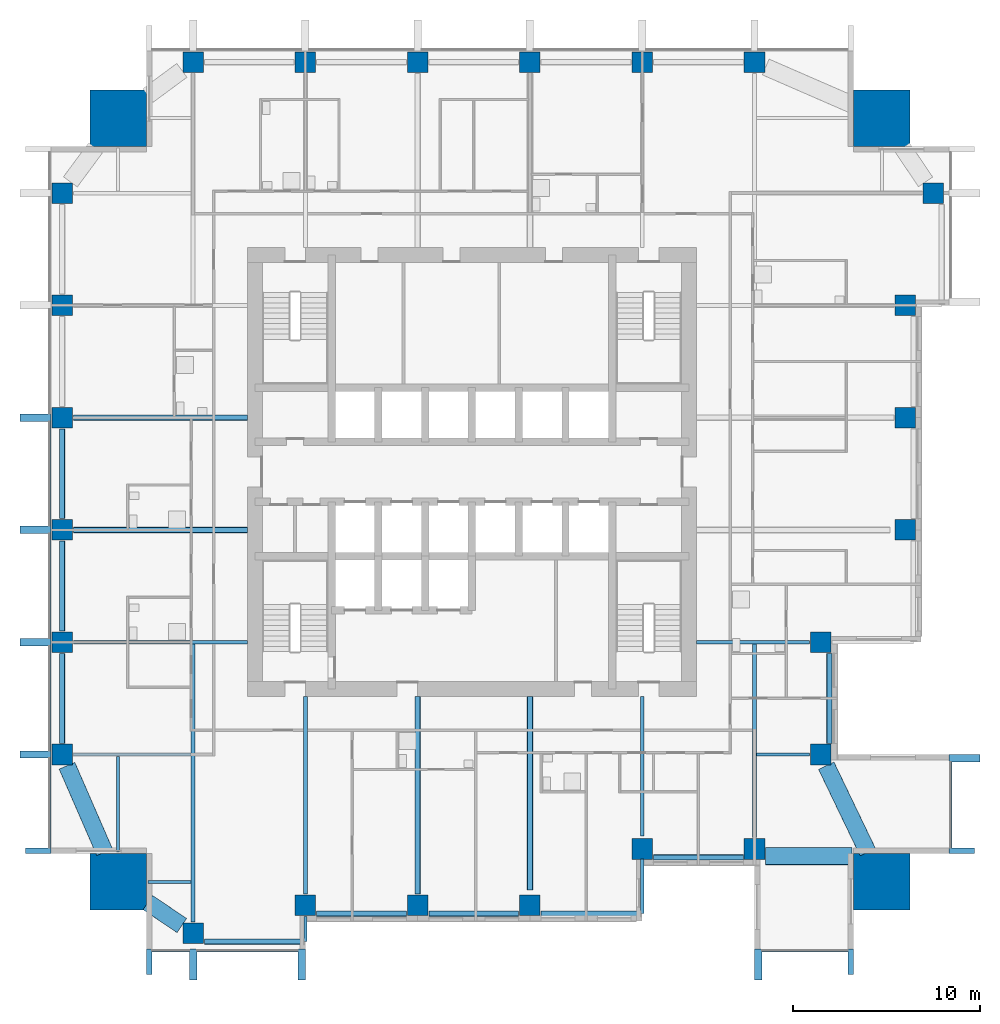
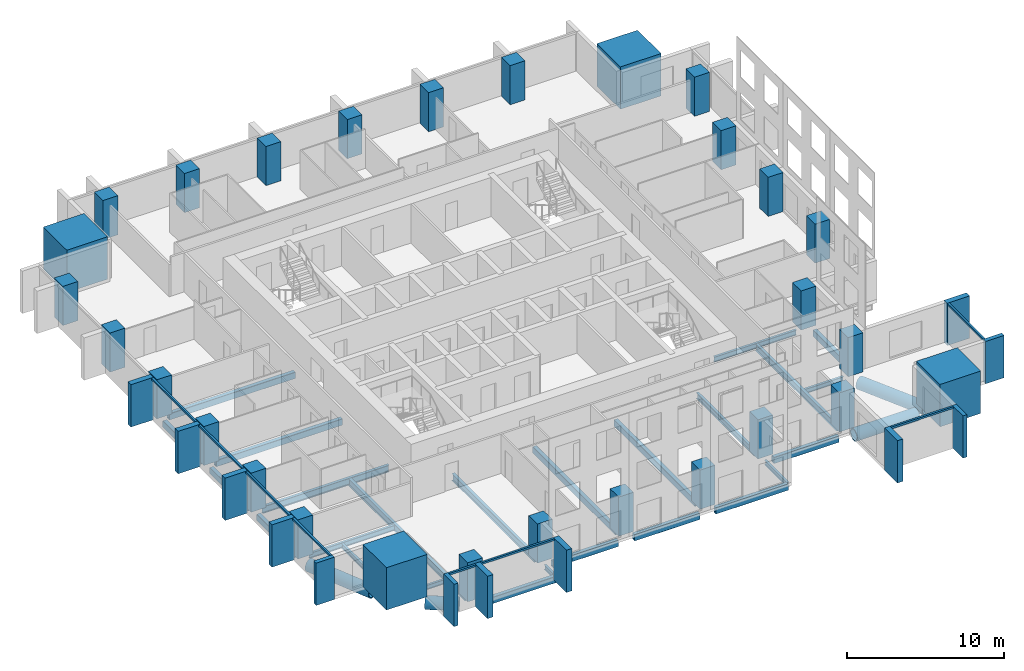
# One storey, part 1 of 13: 29 beams, 28 columns, 20 members, 4 elements without a shape of their own.
"""IFC4 building model written with IfcOpenShell, lengths in metres."""

import ifcopenshell
import ifcopenshell.guid

model = None  # the IFC model being written
_history = None  # IfcOwnerHistory: only IFC2X3 demands one
_inside = {}  # id of a spatial element -> (the spatial element, [elements in it])
_under = {}  # id of a project, library or spatial element -> (it, [spatial elements below it])
_declared = {}  # id of a project -> (the project, [libraries it declares])
_typed = {}  # id of a type object -> (the type object, [elements of that type])
_made_of = {}  # id of a material, layer set ... -> (it, [elements and type objects made of it])


def new_model(schema):
    """Start an empty IFC model of exactly this schema.

    Asked for "IFC4X3", IfcOpenShell would pick the latest addendum, in which some entities
    have other attributes; the version numbers below select the first issue.
    IFC2X3 requires an IfcOwnerHistory on every rooted entity: one is made here for all.
    """
    global model, _history
    if schema == "IFC4X3":
        model = ifcopenshell.file(schema_version=(4, 3, 0, 0))
    else:
        model = ifcopenshell.file(schema=schema)
    _inside.clear()
    _under.clear()
    _declared.clear()
    _typed.clear()
    _made_of.clear()
    _history = None
    if model.schema == "IFC2X3":
        org = make("IfcOrganization", Name="unknown")
        user = make(
            "IfcPersonAndOrganization",
            ThePerson=make("IfcPerson", FamilyName="unknown"),
            TheOrganization=org,
        )
        app = make(
            "IfcApplication",
            ApplicationDeveloper=org,
            Version="unknown",
            ApplicationFullName="unknown",
            ApplicationIdentifier="unknown",
        )
        _history = make(
            "IfcOwnerHistory",
            OwningUser=user,
            OwningApplication=app,
            ChangeAction="ADDED",
            CreationDate=0,
        )
    return model


def make(cls, **values):
    """One entity of the class cls with the attributes given. An attribute that is None is left unset."""
    return model.create_entity(
        cls, **{name: value for name, value in values.items() if value is not None}
    )


def rooted(cls, **values):
    """An entity with a GlobalId (a new one), such as an element, a storey or a relation."""
    return make(cls, GlobalId=ifcopenshell.guid.new(), OwnerHistory=_history, **values)


def si_unit(unit_type, name, prefix=None):
    """IfcSIUnit, for example si_unit("LENGTHUNIT", "METRE", prefix="MILLI")."""
    return make("IfcSIUnit", UnitType=unit_type, Prefix=prefix, Name=name)


def assignment(units):
    """IfcUnitAssignment: the units of a project."""
    return None if units is None else make("IfcUnitAssignment", Units=units)


def point(xyz):
    """IfcCartesianPoint."""
    return None if xyz is None else make("IfcCartesianPoint", Coordinates=xyz)


def direction(xyz):
    """IfcDirection."""
    return None if xyz is None else make("IfcDirection", DirectionRatios=xyz)


def frame(location, z_axis=None, x_axis=None):
    """IfcAxis2Placement3D, a coordinate frame: its origin and axes. An axis left out is left unset."""
    return make(
        "IfcAxis2Placement3D",
        Location=point(location),
        Axis=direction(z_axis),
        RefDirection=direction(x_axis),
    )


def frame_2d(location, x_axis=None):
    """IfcAxis2Placement2D, a coordinate frame in the plane: its origin and x axis."""
    return make(
        "IfcAxis2Placement2D", Location=point(location), RefDirection=direction(x_axis)
    )


def origin():
    """The frame at (0, 0, 0) with its axes left unset."""
    return frame((0.0, 0.0, 0.0))


def origin_2d():
    """The frame at (0, 0) in the plane with its x axis left unset."""
    return frame_2d((0.0, 0.0))


def place(relative_to, where):
    """IfcLocalPlacement: puts the frame where relative to a parent placement (None: the world)."""
    return make(
        "IfcLocalPlacement", PlacementRelTo=relative_to, RelativePlacement=where
    )


def context(
    kind, dimensions, precision=None, world=None, true_north=None, identifier=None
):
    """IfcGeometricRepresentationContext, for example the 3D "Model" context."""
    return make(
        "IfcGeometricRepresentationContext",
        ContextIdentifier=identifier,
        ContextType=kind,
        CoordinateSpaceDimension=dimensions,
        Precision=precision,
        WorldCoordinateSystem=world,
        TrueNorth=true_north,
    )


def subcontext(parent, identifier, kind, view, scale=None):
    """IfcGeometricRepresentationSubContext, for example "Body" below "Model"."""
    return make(
        "IfcGeometricRepresentationSubContext",
        ContextIdentifier=identifier,
        ContextType=kind,
        ParentContext=parent,
        TargetScale=scale,
        TargetView=view,
    )


def project(units=None, contexts=None):
    """IfcProject with its units and contexts."""
    return rooted(
        "IfcProject",
        Name="project",
        RepresentationContexts=contexts,
        UnitsInContext=assignment(units),
    )


def spatial(cls, under=None, at=None, **own):
    """A site, building, storey or space (cls), placed at a placement, below another one or the project."""
    s = rooted(cls, ObjectPlacement=at, **own)
    if under is not None:
        _under.setdefault(under.id(), (under, []))[1].append(s)
    return s


def profile(cls, at=None, kind="AREA", **sizes):
    """A parametric profile (cls). Its sizes go by their IFC names, for example OverallWidth=200.0."""
    return make(cls, ProfileType=kind, Position=at, **sizes)


def rectangle(**sizes):
    """IfcRectangleProfileDef."""
    return profile("IfcRectangleProfileDef", **sizes)


def hollow_rectangle(**sizes):
    """IfcRectangleHollowProfileDef."""
    return profile("IfcRectangleHollowProfileDef", **sizes)


def hollow_circle(**sizes):
    """IfcCircleHollowProfileDef."""
    return profile("IfcCircleHollowProfileDef", **sizes)


def i_section(**sizes):
    """IfcIShapeProfileDef."""
    return profile("IfcIShapeProfileDef", **sizes)


def extrude(swept, where, along, depth):
    """IfcExtrudedAreaSolid: the profile swept, set in the frame where, extruded along a direction by depth."""
    return make(
        "IfcExtrudedAreaSolid",
        SweptArea=swept,
        Position=where,
        ExtrudedDirection=direction(along),
        Depth=depth,
    )


def shape(context_of_items, identifier, shape_type, items):
    """IfcShapeRepresentation: the items that make up one representation, for example the "Body"."""
    return make(
        "IfcShapeRepresentation",
        ContextOfItems=context_of_items,
        RepresentationIdentifier=identifier,
        RepresentationType=shape_type,
        Items=items,
    )


def material(Name=None, Category=None):
    """IfcMaterial."""
    return make("IfcMaterial", Name=Name, Category=Category)


def material_profile(
    of_material, cross_section, Name=None, Category=None, Priority=None
):
    """IfcMaterialProfile: a cross section and its material."""
    return make(
        "IfcMaterialProfile",
        Name=Name,
        Material=of_material,
        Profile=cross_section,
        Priority=Priority,
        Category=Category,
    )


def profile_set(profiles, Name=None, composite=None):
    """IfcMaterialProfileSet."""
    return make(
        "IfcMaterialProfileSet",
        Name=Name,
        MaterialProfiles=profiles,
        CompositeProfile=composite,
    )


def made_of(thing, what):
    """Note that an element or type object is made of a material, layer set ...; save() writes the relation."""
    if what is not None:
        _made_of.setdefault(what.id(), (what, []))[1].append(thing)
    return thing


def type_object(cls, material=None, **own):
    """A type object (cls), such as IfcWallType, which elements share."""
    return made_of(rooted(cls, **own), material)


def element(
    cls,
    number,
    at=None,
    inside=None,
    cuts=None,
    type_object=None,
    material=None,
    context=None,
    identifier="Body",
    shape_type=None,
    held_by="IfcProductDefinitionShape",
    body=None,
    shapes=None,
    **own,
):
    """One element of the class cls, such as IfcWall. Its Tag is "e" and its number.

    at: its placement. inside: the storey or other place that contains it. cuts: it is an
    opening in that element (IfcRelVoidsElement). A single representation is given by context,
    identifier, shape_type and body (its items); several are given by shapes. held_by: the class
    of the entity that holds the representations. save() writes the other relations.
    """
    e = rooted(cls, Tag="e%d" % number, ObjectPlacement=at, **own)
    if body is not None:
        shapes = [shape(context, identifier, shape_type, body)]
    if shapes is not None:
        e.Representation = make(held_by, Representations=shapes)
    if inside is not None:
        _inside.setdefault(inside.id(), (inside, []))[1].append(e)
    if cuts is not None:
        rooted(
            "IfcRelVoidsElement", RelatingBuildingElement=cuts, RelatedOpeningElement=e
        )
    if type_object is not None:
        _typed.setdefault(type_object.id(), (type_object, []))[1].append(e)
    return made_of(e, material)


def aggregate(whole, parts):
    """IfcRelAggregates: a whole, such as a stair, and the parts it consists of."""
    return rooted("IfcRelAggregates", RelatingObject=whole, RelatedObjects=parts)


def save(model, path):
    """Write the relations noted so far, then the file.

    IfcRelAggregates (storeys below a building ...), IfcRelContainedInSpatialStructure (elements
    in a storey), IfcRelDefinesByType, IfcRelAssociatesMaterial and IfcRelDeclares: one each for
    every whole, place, type object, material and project.
    """
    for whole, parts in _under.values():
        aggregate(whole, parts)
    for where, things in _inside.values():
        rooted(
            "IfcRelContainedInSpatialStructure",
            RelatedElements=things,
            RelatingStructure=where,
        )
    for kind, things in _typed.values():
        rooted("IfcRelDefinesByType", RelatedObjects=things, RelatingType=kind)
    for what, things in _made_of.values():
        rooted("IfcRelAssociatesMaterial", RelatedObjects=things, RelatingMaterial=what)
    for by, libraries in _declared.values():
        rooted("IfcRelDeclares", RelatingContext=by, RelatedDefinitions=libraries)
    model.write(path)


model = new_model("IFC4")

# Units and contexts
model_context = context("Model", 3, precision=1e-05, world=origin(), true_north=direction((0.0, 1.0)))
body_context = subcontext(model_context, "Body", "Model", "MODEL_VIEW")
ifc_project = project(units=[si_unit("LENGTHUNIT", "METRE"), si_unit("AREAUNIT", "SQUARE_METRE"), si_unit("VOLUMEUNIT", "CUBIC_METRE"), si_unit("PLANEANGLEUNIT", "RADIAN"), si_unit("MASSUNIT", "GRAM", prefix="KILO")], contexts=[model_context])

# Site, building, storey
site_placement = place(None, origin())
site = spatial("IfcSite", under=ifc_project, at=site_placement, CompositionType="ELEMENT")
building_placement = place(site_placement, origin())
building = spatial("IfcBuilding", under=site, at=building_placement, Name="Amberfall Residences", CompositionType="ELEMENT")
storey_placement = place(building_placement, frame((0.0, 0.0, 78.699951171875)))
storey = spatial("IfcBuildingStorey", under=building, at=storey_placement, Name="L20", CompositionType="ELEMENT", Elevation=78.699951171875)

# Columns
ifc_material_1 = material(Name="Concrete C70", Category="concrete")
ifc_material_profile_1 = material_profile(ifc_material_1, rectangle(XDim=1.10009765625, YDim=1.10009765625, at=origin_2d()), Name="Column 1100 x 1100 C70")
ifc_profile_set_1 = profile_set([ifc_material_profile_1], Name="Concrete C70")
column_type_1 = type_object("IfcColumnType", Name="Column 1100 x 1100 C70", PredefinedType="COLUMN", material=ifc_profile_set_1)
for number, where, z_axis, x_axis, name in (
    (1, (59.60009765625, 20.85009765625, 0.0), (0.0, 0.0, 1.0), (1.0, 0.0, 0.0), "Column C2 L20 S1"),
    (2, (65.60009765625, 22.35009765625, 0.0), (0.0, 0.0, 1.0), (1.0, 0.0, 0.0), "Column C2 L20 S2"),
    (3, (71.60009765625, 22.35009765625, 0.0), (0.0, 0.0, 1.0), (1.0, 0.0, 0.0), "Column C2 L20 S3"),
    (4, (77.60009765625, 22.35009765625, 0.0), (0.0, 0.0, 1.0), (1.0, 0.0, 0.0), "Column C2 L20 S4"),
    (5, (83.60009765625, 25.35009765625, 0.0), (0.0, 0.0, 1.0), (1.0, 0.0, 0.0), "Column C2 L20 S5"),
    (6, (89.60009765625, 25.35009765625, 0.0), (0.0, 0.0, 1.0), (1.0, 0.0, 0.0), "Column C2 L20 S6"),
    (7, (93.14990234375, 30.39990234375, 0.0), (0.0, 0.0, 1.0), (1.0, 0.0, 0.0), "Column C2 L20 E1"),
    (8, (93.14990234375, 36.39990234375, 0.0), (0.0, 0.0, 1.0), (1.0, 0.0, 0.0), "Column C2 L20 E2"),
    (9, (97.64990234375, 42.39990234375, 0.0), (0.0, 0.0, 1.0), (1.0, 0.0, 0.0), "Column C2 L20 E3"),
    (10, (97.64990234375, 48.39990234375, 0.0), (0.0, 0.0, 1.0), (1.0, 0.0, 0.0), "Column C2 L20 E4"),
    (11, (97.64990234375, 54.39990234375, 0.0), (0.0, 0.0, 1.0), (1.0, 0.0, 0.0), "Column C2 L20 E5"),
    (12, (99.14990234375, 60.39990234375, 0.0), (0.0, 0.0, 1.0), (1.0, 0.0, 0.0), "Column C2 L20 E6"),
    (13, (59.60009765625, 67.39990234375, 0.0), (0.0, 0.0, 1.0), (1.0, 0.0, 0.0), "Column C2 L20 N1"),
    (14, (65.60009765625, 67.39990234375, 0.0), (0.0, 0.0, 1.0), (1.0, 0.0, 0.0), "Column C2 L20 N2"),
    (15, (71.60009765625, 67.39990234375, 0.0), (0.0, 0.0, 1.0), (1.0, 0.0, 0.0), "Column C2 L20 N3"),
    (16, (77.60009765625, 67.39990234375, 0.0), (0.0, 0.0, 1.0), (1.0, 0.0, 0.0), "Column C2 L20 N4"),
    (17, (83.60009765625, 67.39990234375, 0.0), (0.0, 0.0, 1.0), (1.0, 0.0, 0.0), "Column C2 L20 N5"),
    (18, (89.60009765625, 67.39990234375, 0.0), (0.0, 0.0, 1.0), (1.0, 0.0, 0.0), "Column C2 L20 N6"),
    (19, (52.60009765625, 30.39990234375, 0.0), (0.0, 0.0, 1.0), (1.0, 0.0, 0.0), "Column C2 L20 W1"),
    (20, (52.60009765625, 36.39990234375, 0.0), (0.0, 0.0, 1.0), (1.0, 0.0, 0.0), "Column C2 L20 W2"),
    (21, (52.60009765625, 42.39990234375, 0.0), (0.0, 0.0, 1.0), (1.0, 0.0, 0.0), "Column C2 L20 W3"),
    (22, (52.60009765625, 48.39990234375, 0.0), (0.0, 0.0, 1.0), (1.0, 0.0, 0.0), "Column C2 L20 W4"),
    (23, (52.60009765625, 54.39990234375, 0.0), (0.0, 0.0, 1.0), (1.0, 0.0, 0.0), "Column C2 L20 W5"),
    (24, (52.60009765625, 60.39990234375, 0.0), (0.0, 0.0, 1.0), (1.0, 0.0, 0.0), "Column C2 L20 W6"),
):
    element("IfcColumn", number, at=place(storey_placement, frame(where, z_axis=z_axis, x_axis=x_axis)), inside=storey, type_object=column_type_1, Name=name, PredefinedType="COLUMN", context=body_context, shape_type="SweptSolid", body=[
        extrude(rectangle(XDim=1.10009765625, YDim=1.10009765625, at=origin_2d()), origin(), (0.0, 0.0, 1.0), 3.050048828125),
    ])
ifc_material_profile_2 = material_profile(ifc_material_1, rectangle(XDim=3.0, YDim=3.0, at=origin_2d()), Name="Mega column 3000 x 3000 C70")
ifc_profile_set_2 = profile_set([ifc_material_profile_2], Name="Concrete C70")
column_type_2 = type_object("IfcColumnType", Name="Mega column 3000 x 3000 C70", PredefinedType="COLUMN", material=ifc_profile_set_2)
for number, where, z_axis, x_axis, name in (
    (25, (55.60009765625, 23.60009765625, 0.0), (0.0, 0.0, 1.0), (1.0, 0.0, 0.0), "Mega column MC2 L20 SW"),
    (26, (96.39990234375, 23.60009765625, 0.0), (0.0, 0.0, 1.0), (1.0, 0.0, 0.0), "Mega column MC2 L20 SE"),
    (27, (96.39990234375, 64.39990234375, 0.0), (0.0, 0.0, 1.0), (1.0, 0.0, 0.0), "Mega column MC2 L20 NE"),
    (28, (55.60009765625, 64.39990234375, 0.0), (0.0, 0.0, 1.0), (1.0, 0.0, 0.0), "Mega column MC2 L20 NW"),
):
    element("IfcColumn", number, at=place(storey_placement, frame(where, z_axis=z_axis, x_axis=x_axis)), inside=storey, type_object=column_type_2, Name=name, PredefinedType="COLUMN", context=body_context, shape_type="SweptSolid", body=[
        extrude(rectangle(XDim=3.0, YDim=3.0, at=origin_2d()), origin(), (0.0, 0.0, 1.0), 3.300048828125),
    ])

# Beams
ifc_material_2 = material(Name="Steel S355", Category="steel")
ifc_material_profile_3 = material_profile(ifc_material_2, hollow_circle(Radius=0.457275390625, WallThickness=0.06005859375, at=origin_2d()), Name="CHS 914.4x60")
ifc_profile_set_3 = profile_set([ifc_material_profile_3], Name="Steel S355")
beam_type_1 = type_object("IfcBeamType", Name="Belt truss chord BT CHS 914.4x60", PredefinedType="BEAM", material=ifc_profile_set_3)
beam_1_placement = place(storey_placement, frame((57.181884765625, 22.48583984375, -0.70703125), z_axis=(0.828886092393, -0.559417416459, 0.0), x_axis=(0.559417416459, 0.828886092393, 0.0)))
element("IfcBeam", 29, at=beam_1_placement, inside=storey, type_object=beam_type_1, Name="Belt truss chord BT BT2 L20 49", PredefinedType="BEAM", context=body_context, shape_type="SweptSolid", body=[
    extrude(hollow_circle(Radius=0.457275390625, WallThickness=0.06005859375, at=origin_2d()), origin(), (0.0, 0.0, 1.0), 2.193359375),
])
beam_2_placement = place(storey_placement, frame((54.871337890625, 25.182373046875, -0.70703125), z_axis=(-0.399155034223, 0.916883448784, 0.0), x_axis=(-0.916883448784, -0.399155034223, 0.0)))
element("IfcBeam", 30, at=beam_2_placement, inside=storey, type_object=beam_type_1, Name="Belt truss chord BT BT2 L20 50", PredefinedType="BEAM", context=body_context, shape_type="SweptSolid", body=[
    extrude(hollow_circle(Radius=0.457275390625, WallThickness=0.06005859375, at=origin_2d()), origin(), (0.0, 0.0, 1.0), 5.036376953125),
])
beam_3_placement = place(storey_placement, frame((94.8154296875, 24.96484375, -0.70703125), z_axis=(-1.0, 0.0, 0.0), x_axis=(0.0, -1.0, 0.0)))
element("IfcBeam", 31, at=beam_3_placement, inside=storey, type_object=beam_type_1, Name="Belt truss chord BT BT2 L20 51", PredefinedType="BEAM", context=body_context, shape_type="SweptSolid", body=[
    extrude(hollow_circle(Radius=0.457275390625, WallThickness=0.06005859375, at=origin_2d()), origin(), (0.0, 0.0, 1.0), 4.615478515625),
])
beam_4_placement = place(storey_placement, frame((95.653076171875, 25.18408203125, -0.70703125), z_axis=(-0.43322071676, 0.901287862212, 0.0), x_axis=(-0.901287862212, -0.43322071676, 0.0)))
element("IfcBeam", 32, at=beam_4_placement, inside=storey, type_object=beam_type_1, Name="Belt truss chord BT BT2 L20 52", PredefinedType="BEAM", context=body_context, shape_type="SweptSolid", body=[
    extrude(hollow_circle(Radius=0.457275390625, WallThickness=0.06005859375, at=origin_2d()), origin(), (0.0, 0.0, 1.0), 5.12158203125),
])
ifc_material_profile_4 = material_profile(ifc_material_2, hollow_rectangle(XDim=0.300048828125, YDim=0.5, WallThickness=0.01611328125, InnerFilletRadius=0.01611328125, OuterFilletRadius=0.02392578125, at=origin_2d()), Name="RHS 500x300x16")
ifc_profile_set_4 = profile_set([ifc_material_profile_4], Name="Steel S355")
beam_type_2 = type_object("IfcBeamType", Name="Belt truss chord BT RHS 500x300x16", PredefinedType="BEAM", material=ifc_profile_set_4)
beam_5_placement = place(storey_placement, frame((60.199951171875, 20.39990234375, -0.5), z_axis=(1.0, 0.0, 0.0), x_axis=(0.0, 1.0, 0.0)))
element("IfcBeam", 33, at=beam_5_placement, inside=storey, type_object=beam_type_2, Name="Belt truss chord BT BT1 L20 01", PredefinedType="BEAM", context=body_context, shape_type="SweptSolid", body=[
    extrude(hollow_rectangle(XDim=0.300048828125, YDim=0.5, WallThickness=0.01611328125, InnerFilletRadius=0.01611328125, OuterFilletRadius=0.02392578125, at=origin_2d()), origin(), (0.0, 0.0, 1.0), 5.320068359375),
])
for number, where, z_axis, x_axis, name in (
    (34, (66.199951171875, 21.89990234375, -0.5), (1.0, 0.0, 0.0), (0.0, 1.0, 0.0), "Belt truss chord BT BT1 L20 02"),
    (35, (72.199951171875, 21.89990234375, -0.5), (1.0, 0.0, 0.0), (0.0, 1.0, 0.0), "Belt truss chord BT BT1 L20 03"),
):
    element("IfcBeam", number, at=place(storey_placement, frame(where, z_axis=z_axis, x_axis=x_axis)), inside=storey, type_object=beam_type_2, Name=name, PredefinedType="BEAM", context=body_context, shape_type="SweptSolid", body=[
        extrude(hollow_rectangle(XDim=0.300048828125, YDim=0.5, WallThickness=0.01611328125, InnerFilletRadius=0.01611328125, OuterFilletRadius=0.02392578125, at=origin_2d()), origin(), (0.0, 0.0, 1.0), 4.800048828125),
    ])
beam_6_placement = place(storey_placement, frame((78.199951171875, 21.89990234375, -0.5), z_axis=(1.0, 0.0, 0.0), x_axis=(0.0, 1.0, 0.0)))
element("IfcBeam", 36, at=beam_6_placement, inside=storey, type_object=beam_type_2, Name="Belt truss chord BT BT1 L20 04", PredefinedType="BEAM", context=body_context, shape_type="SweptSolid", body=[
    extrude(hollow_rectangle(XDim=0.300048828125, YDim=0.5, WallThickness=0.01611328125, InnerFilletRadius=0.01611328125, OuterFilletRadius=0.02392578125, at=origin_2d()), origin(), (0.0, 0.0, 1.0), 5.320068359375),
])
for number, where, z_axis, x_axis, name in (
    (37, (84.199951171875, 24.89990234375, -0.5), (1.0, 0.0, 0.0), (0.0, 1.0, 0.0), "Belt truss chord BT BT1 L20 05"),
    (38, (93.60009765625, 31.0, -0.5), (0.0, 1.0, 0.0), (-1.0, 0.0, 0.0), "Belt truss chord BT BT1 L20 14"),
    (39, (52.60009765625, 31.0, -0.5), (0.0, 1.0, 0.0), (-1.0, 0.0, 0.0), "Belt truss chord BT BT1 L20 38"),
    (40, (52.60009765625, 37.0, -0.5), (0.0, 1.0, 0.0), (-1.0, 0.0, 0.0), "Belt truss chord BT BT1 L20 39"),
    (41, (52.60009765625, 43.0, -0.5), (0.0, 1.0, 0.0), (-1.0, 0.0, 0.0), "Belt truss chord BT BT1 L20 40"),
):
    element("IfcBeam", number, at=place(storey_placement, frame(where, z_axis=z_axis, x_axis=x_axis)), inside=storey, type_object=beam_type_2, Name=name, PredefinedType="BEAM", context=body_context, shape_type="SweptSolid", body=[
        extrude(hollow_rectangle(XDim=0.300048828125, YDim=0.5, WallThickness=0.01611328125, InnerFilletRadius=0.01611328125, OuterFilletRadius=0.02392578125, at=origin_2d()), origin(), (0.0, 0.0, 1.0), 4.800048828125),
    ])

# Curtain wall, members
ifc_material_3 = material(Name="Bronze anodised aluminium and glass", Category="aluminium")
curtain_wall_type = type_object("IfcCurtainWallType", Name="Curtain wall CW1 tower unit", PredefinedType="USERDEFINED", material=ifc_material_3)
curtain_wall_1_placement = place(storey_placement, origin())
curtain_wall_1 = element("IfcCurtainWall", 42, at=curtain_wall_1_placement, inside=storey, type_object=curtain_wall_type, Name="Curtain wall L20 S S1", ObjectType="UNITISED CURTAIN WALL", PredefinedType="USERDEFINED")
ifc_material_4 = material(Name="Bronze anodised aluminium", Category="aluminium")
ifc_material_profile_5 = material_profile(ifc_material_4, rectangle(XDim=0.14990234375, YDim=0.14990234375, at=origin_2d()), Name="CW1 transom 150 x 150 bronze")
ifc_profile_set_5 = profile_set([ifc_material_profile_5], Name="Bronze anodised aluminium")
member_type_1 = type_object("IfcMemberType", Name="CW1 transom 150 x 150 bronze", PredefinedType="USERDEFINED", material=ifc_profile_set_5)
member_1_placement = place(storey_placement, frame((57.39990234375, 19.925048828125, 2.97509765625), z_axis=(1.0, 0.0, 0.0), x_axis=(0.0, 1.0, 0.0)))
member_1 = element("IfcMember", 43, at=member_1_placement, type_object=member_type_1, Name="CW1 transom 1.1", ObjectType="TRANSOM", PredefinedType="USERDEFINED", context=body_context, shape_type="SweptSolid", body=[
    extrude(rectangle(XDim=0.14990234375, YDim=0.14990234375, at=origin_2d()), origin(), (0.0, 0.0, 1.0), 2.0),
])
member_2_placement = place(storey_placement, frame((59.800048828125, 19.925048828125, 2.97509765625), z_axis=(1.0, 0.0, 0.0), x_axis=(0.0, 1.0, 0.0)))
member_2 = element("IfcMember", 44, at=member_2_placement, type_object=member_type_1, Name="CW1 transom 2.1", ObjectType="TRANSOM", PredefinedType="USERDEFINED", context=body_context, shape_type="SweptSolid", body=[
    extrude(rectangle(XDim=0.14990234375, YDim=0.14990234375, at=origin_2d()), origin(), (0.0, 0.0, 1.0), 5.39990234375),
])

# Curtain wall, member
curtain_wall_2_placement = place(storey_placement, origin())
curtain_wall_2 = element("IfcCurtainWall", 45, at=curtain_wall_2_placement, inside=storey, type_object=curtain_wall_type, Name="Curtain wall L20 S S9", ObjectType="UNITISED CURTAIN WALL", PredefinedType="USERDEFINED")
member_3_placement = place(storey_placement, frame((90.0, 19.925048828125, 2.97509765625), z_axis=(1.0, 0.0, 0.0), x_axis=(0.0, 1.0, 0.0)))
member_3 = element("IfcMember", 46, at=member_3_placement, type_object=member_type_1, Name="CW1 transom 1.1", ObjectType="TRANSOM", PredefinedType="USERDEFINED", context=body_context, shape_type="SweptSolid", body=[
    extrude(rectangle(XDim=0.14990234375, YDim=0.14990234375, at=origin_2d()), origin(), (0.0, 0.0, 1.0), 4.60009765625),
])

curtain_wall_3_placement = place(storey_placement, origin())
curtain_wall_3 = element("IfcCurtainWall", 47, at=curtain_wall_3_placement, inside=storey, type_object=curtain_wall_type, Name="Curtain wall L20 E E1", ObjectType="UNITISED CURTAIN WALL", PredefinedType="USERDEFINED")
member_4_placement = place(storey_placement, frame((100.074951171875, 25.39990234375, 2.97509765625), z_axis=(0.0, 1.0, 0.0), x_axis=(-1.0, 0.0, 0.0)))
member_4 = element("IfcMember", 48, at=member_4_placement, type_object=member_type_1, Name="CW1 transom 1.1", ObjectType="TRANSOM", PredefinedType="USERDEFINED", context=body_context, shape_type="SweptSolid", body=[
    extrude(rectangle(XDim=0.14990234375, YDim=0.14990234375, at=origin_2d()), origin(), (0.0, 0.0, 1.0), 4.60009765625),
])

# Curtain wall, members
curtain_wall_4_placement = place(storey_placement, origin())
curtain_wall_4 = element("IfcCurtainWall", 49, at=curtain_wall_4_placement, inside=storey, type_object=curtain_wall_type, Name="Curtain wall L20 W W1", ObjectType="UNITISED CURTAIN WALL", PredefinedType="USERDEFINED")
member_5_placement = place(storey_placement, frame((51.925048828125, 48.199951171875, 2.97509765625), z_axis=(0.0, -1.0, 0.0), x_axis=(1.0, 0.0, 0.0)))
member_5 = element("IfcMember", 50, at=member_5_placement, type_object=member_type_1, Name="CW1 transom 4.1", ObjectType="TRANSOM", PredefinedType="USERDEFINED", context=body_context, shape_type="SweptSolid", body=[
    extrude(rectangle(XDim=0.14990234375, YDim=0.14990234375, at=origin_2d()), origin(), (0.0, 0.0, 1.0), 5.599853515625),
])
member_6_placement = place(storey_placement, frame((51.925048828125, 42.199951171875, 2.97509765625), z_axis=(0.0, -1.0, 0.0), x_axis=(1.0, 0.0, 0.0)))
member_6 = element("IfcMember", 51, at=member_6_placement, type_object=member_type_1, Name="CW1 transom 5.1", ObjectType="TRANSOM", PredefinedType="USERDEFINED", context=body_context, shape_type="SweptSolid", body=[
    extrude(rectangle(XDim=0.14990234375, YDim=0.14990234375, at=origin_2d()), origin(), (0.0, 0.0, 1.0), 5.599853515625),
])
member_7_placement = place(storey_placement, frame((51.925048828125, 36.199951171875, 2.97509765625), z_axis=(0.0, -1.0, 0.0), x_axis=(1.0, 0.0, 0.0)))
member_7 = element("IfcMember", 52, at=member_7_placement, type_object=member_type_1, Name="CW1 transom 6.1", ObjectType="TRANSOM", PredefinedType="USERDEFINED", context=body_context, shape_type="SweptSolid", body=[
    extrude(rectangle(XDim=0.14990234375, YDim=0.14990234375, at=origin_2d()), origin(), (0.0, 0.0, 1.0), 5.599853515625),
])
member_8_placement = place(storey_placement, frame((51.925048828125, 30.199951171875, 2.97509765625), z_axis=(0.0, -1.0, 0.0), x_axis=(1.0, 0.0, 0.0)))
member_8 = element("IfcMember", 53, at=member_8_placement, type_object=member_type_1, Name="CW1 transom 7.1", ObjectType="TRANSOM", PredefinedType="USERDEFINED", context=body_context, shape_type="SweptSolid", body=[
    extrude(rectangle(XDim=0.14990234375, YDim=0.14990234375, at=origin_2d()), origin(), (0.0, 0.0, 1.0), 4.800048828125),
])

# Beams
ifc_material_profile_6 = material_profile(ifc_material_2, i_section(OverallWidth=0.171142578125, OverallDepth=0.351318359375, WebThickness=0.007080078125, FlangeThickness=0.009765625, FilletRadius=0.01025390625, at=origin_2d()), Name="UB 356x171x45")
ifc_profile_set_6 = profile_set([ifc_material_profile_6], Name="Steel S355")
beam_type_3 = type_object("IfcBeamType", Name="Cantilever girder UB 356x171x45", PredefinedType="BEAM", material=ifc_profile_set_6)
beam_7_placement = place(storey_placement, frame((65.60009765625, 21.7529296875, -0.425537109375), z_axis=(0.0, -1.0, 0.0), x_axis=(1.0, 0.0, 0.0)))
element("IfcBeam", 54, at=beam_7_placement, inside=storey, type_object=beam_type_3, Name="Cantilever girder B8 L20 06", PredefinedType="BEAM", context=body_context, shape_type="SweptSolid", body=[
    extrude(i_section(OverallWidth=0.171142578125, OverallDepth=0.351318359375, WebThickness=0.007080078125, FlangeThickness=0.009765625, FilletRadius=0.01025390625, at=origin_2d()), origin(), (0.0, 0.0, 1.0), 1.35302734375),
])
beam_8_placement = place(storey_placement, frame((83.60009765625, 24.817626953125, -0.425537109375), z_axis=(0.0, -1.0, 0.0), x_axis=(1.0, 0.0, 0.0)))
element("IfcBeam", 55, at=beam_8_placement, inside=storey, type_object=beam_type_3, Name="Cantilever girder B8 L20 07", PredefinedType="BEAM", context=body_context, shape_type="SweptSolid", body=[
    extrude(i_section(OverallWidth=0.171142578125, OverallDepth=0.351318359375, WebThickness=0.007080078125, FlangeThickness=0.009765625, FilletRadius=0.01025390625, at=origin_2d()), origin(), (0.0, 0.0, 1.0), 2.917724609375),
])

# Member
ifc_material_profile_7 = material_profile(ifc_material_4, rectangle(XDim=1.35009765625, YDim=0.300048828125, at=origin_2d()), Name="Corner fin 300 x 1350 bronze")
ifc_profile_set_7 = profile_set([ifc_material_profile_7], Name="Bronze anodised aluminium")
member_type_2 = type_object("IfcMemberType", Name="Corner fin 300 x 1350 bronze", PredefinedType="MULLION", material=ifc_profile_set_7)
member_9_placement = place(storey_placement, frame((57.25, 19.324951171875, -0.25), z_axis=(0.0, 0.0, 1.0), x_axis=(0.0, 1.0, 0.0)))
member_9 = element("IfcMember", 56, at=member_9_placement, type_object=member_type_2, Name="CW FIN 1", PredefinedType="MULLION", context=body_context, shape_type="SweptSolid", body=[
    extrude(rectangle(XDim=1.35009765625, YDim=0.300048828125, at=origin_2d()), origin(), (0.0, 0.0, 1.0), 3.300048828125),
])

member_10_placement = place(storey_placement, frame((94.75, 19.324951171875, -0.25), z_axis=(0.0, 0.0, 1.0), x_axis=(0.0, 1.0, 0.0)))
member_10 = element("IfcMember", 57, at=member_10_placement, type_object=member_type_2, Name="CW FIN 2", PredefinedType="MULLION", context=body_context, shape_type="SweptSolid", body=[
    extrude(rectangle(XDim=1.35009765625, YDim=0.300048828125, at=origin_2d()), origin(), (0.0, 0.0, 1.0), 3.300048828125),
])

member_11_placement = place(storey_placement, frame((100.675048828125, 25.25, -0.25), z_axis=(0.0, 0.0, 1.0), x_axis=(-1.0, 0.0, 0.0)))
member_11 = element("IfcMember", 58, at=member_11_placement, type_object=member_type_2, Name="CW FIN 1", PredefinedType="MULLION", context=body_context, shape_type="SweptSolid", body=[
    extrude(rectangle(XDim=1.35009765625, YDim=0.300048828125, at=origin_2d()), origin(), (0.0, 0.0, 1.0), 3.300048828125),
])

member_12_placement = place(storey_placement, frame((51.324951171875, 25.25, -0.25), z_axis=(0.0, 0.0, 1.0), x_axis=(1.0, 0.0, 0.0)))
member_12 = element("IfcMember", 59, at=member_12_placement, type_object=member_type_2, Name="CW FIN 8", PredefinedType="MULLION", context=body_context, shape_type="SweptSolid", body=[
    extrude(rectangle(XDim=1.35009765625, YDim=0.300048828125, at=origin_2d()), origin(), (0.0, 0.0, 1.0), 3.300048828125),
])

ifc_material_profile_8 = material_profile(ifc_material_4, rectangle(XDim=1.64990234375, YDim=0.39990234375, at=origin_2d()), Name="Fin 400 x 1650 bronze")
ifc_profile_set_8 = profile_set([ifc_material_profile_8], Name="Bronze anodised aluminium")
member_type_3 = type_object("IfcMemberType", Name="Fin 400 x 1650 bronze", PredefinedType="MULLION", material=ifc_profile_set_8)
member_13_placement = place(storey_placement, frame((59.60009765625, 19.175048828125, -0.25), z_axis=(0.0, 0.0, 1.0), x_axis=(0.0, 1.0, 0.0)))
member_13 = element("IfcMember", 60, at=member_13_placement, type_object=member_type_3, Name="CW FIN 2", PredefinedType="MULLION", context=body_context, shape_type="SweptSolid", body=[
    extrude(rectangle(XDim=1.64990234375, YDim=0.39990234375, at=origin_2d()), origin(), (0.0, 0.0, 1.0), 3.300048828125),
])

member_14_placement = place(storey_placement, frame((65.39990234375, 19.175048828125, -0.25), z_axis=(0.0, 0.0, 1.0), x_axis=(0.0, 1.0, 0.0)))
member_14 = element("IfcMember", 61, at=member_14_placement, type_object=member_type_3, Name="CW FIN 3", PredefinedType="MULLION", context=body_context, shape_type="SweptSolid", body=[
    extrude(rectangle(XDim=1.64990234375, YDim=0.39990234375, at=origin_2d()), origin(), (0.0, 0.0, 1.0), 3.300048828125),
])

aggregate(curtain_wall_1, [member_9, member_13, member_14, member_1, member_2])

member_15_placement = place(storey_placement, frame((89.800048828125, 19.175048828125, -0.25), z_axis=(0.0, 0.0, 1.0), x_axis=(0.0, 1.0, 0.0)))
member_15 = element("IfcMember", 62, at=member_15_placement, type_object=member_type_3, Name="CW FIN 1", PredefinedType="MULLION", context=body_context, shape_type="SweptSolid", body=[
    extrude(rectangle(XDim=1.64990234375, YDim=0.39990234375, at=origin_2d()), origin(), (0.0, 0.0, 1.0), 3.300048828125),
])

aggregate(curtain_wall_2, [member_15, member_10, member_3])

member_16_placement = place(storey_placement, frame((100.824951171875, 30.199951171875, -0.25), z_axis=(0.0, 0.0, 1.0), x_axis=(-1.0, 0.0, 0.0)))
member_16 = element("IfcMember", 63, at=member_16_placement, type_object=member_type_3, Name="CW FIN 2", PredefinedType="MULLION", context=body_context, shape_type="SweptSolid", body=[
    extrude(rectangle(XDim=1.64990234375, YDim=0.39990234375, at=origin_2d()), origin(), (0.0, 0.0, 1.0), 3.300048828125),
])

aggregate(curtain_wall_3, [member_11, member_16, member_4])

member_17_placement = place(storey_placement, frame((51.175048828125, 48.39990234375, -0.25), z_axis=(0.0, 0.0, 1.0), x_axis=(1.0, 0.0, 0.0)))
member_17 = element("IfcMember", 64, at=member_17_placement, type_object=member_type_3, Name="CW FIN 4", PredefinedType="MULLION", context=body_context, shape_type="SweptSolid", body=[
    extrude(rectangle(XDim=1.64990234375, YDim=0.39990234375, at=origin_2d()), origin(), (0.0, 0.0, 1.0), 3.300048828125),
])

member_18_placement = place(storey_placement, frame((51.175048828125, 42.39990234375, -0.25), z_axis=(0.0, 0.0, 1.0), x_axis=(1.0, 0.0, 0.0)))
member_18 = element("IfcMember", 65, at=member_18_placement, type_object=member_type_3, Name="CW FIN 5", PredefinedType="MULLION", context=body_context, shape_type="SweptSolid", body=[
    extrude(rectangle(XDim=1.64990234375, YDim=0.39990234375, at=origin_2d()), origin(), (0.0, 0.0, 1.0), 3.300048828125),
])

member_19_placement = place(storey_placement, frame((51.175048828125, 36.39990234375, -0.25), z_axis=(0.0, 0.0, 1.0), x_axis=(1.0, 0.0, 0.0)))
member_19 = element("IfcMember", 66, at=member_19_placement, type_object=member_type_3, Name="CW FIN 6", PredefinedType="MULLION", context=body_context, shape_type="SweptSolid", body=[
    extrude(rectangle(XDim=1.64990234375, YDim=0.39990234375, at=origin_2d()), origin(), (0.0, 0.0, 1.0), 3.300048828125),
])

member_20_placement = place(storey_placement, frame((51.175048828125, 30.39990234375, -0.25), z_axis=(0.0, 0.0, 1.0), x_axis=(1.0, 0.0, 0.0)))
member_20 = element("IfcMember", 67, at=member_20_placement, type_object=member_type_3, Name="CW FIN 7", PredefinedType="MULLION", context=body_context, shape_type="SweptSolid", body=[
    extrude(rectangle(XDim=1.64990234375, YDim=0.39990234375, at=origin_2d()), origin(), (0.0, 0.0, 1.0), 3.300048828125),
])

aggregate(curtain_wall_4, [member_17, member_18, member_19, member_20, member_12, member_5, member_6, member_7, member_8])

# Beams
ifc_material_profile_9 = material_profile(ifc_material_2, i_section(OverallWidth=0.171142578125, OverallDepth=0.351318359375, WebThickness=0.007080078125, FlangeThickness=0.009765625, FilletRadius=0.01025390625, at=origin_2d()), Name="UB 356x171x45")
ifc_profile_set_9 = profile_set([ifc_material_profile_9], Name="Steel S355")
beam_type_4 = type_object("IfcBeamType", Name="Floor girder UB 356x171x45", PredefinedType="BEAM", material=ifc_profile_set_9)
beam_9_placement = place(storey_placement, frame((92.547119140625, 30.39990234375, -0.425537109375), z_axis=(-1.0, 0.0, 0.0), x_axis=(0.0, -1.0, 0.0)))
element("IfcBeam", 68, at=beam_9_placement, inside=storey, type_object=beam_type_4, Name="Floor girder B11 L20 21", PredefinedType="BEAM", context=body_context, shape_type="SweptSolid", body=[
    extrude(i_section(OverallWidth=0.171142578125, OverallDepth=0.351318359375, WebThickness=0.007080078125, FlangeThickness=0.009765625, FilletRadius=0.01025390625, at=origin_2d()), origin(), (0.0, 0.0, 1.0), 2.8271484375),
])
ifc_material_profile_10 = material_profile(ifc_material_2, i_section(OverallWidth=0.177734375, OverallDepth=0.402587890625, WebThickness=0.0078125, FlangeThickness=0.010986328125, FilletRadius=0.01025390625, at=origin_2d()), Name="UB 406x178x54")
ifc_profile_set_10 = profile_set([ifc_material_profile_10], Name="Steel S355")
beam_type_5 = type_object("IfcBeamType", Name="Floor girder UB 406x178x54", PredefinedType="BEAM", material=ifc_profile_set_10)
beam_10_placement = place(storey_placement, frame((92.547119140625, 36.39990234375, -0.451171875), z_axis=(-1.0, 0.0, 0.0), x_axis=(0.0, -1.0, 0.0)))
element("IfcBeam", 69, at=beam_10_placement, inside=storey, type_object=beam_type_5, Name="Floor girder B4 L20 22", PredefinedType="BEAM", context=body_context, shape_type="SweptSolid", body=[
    extrude(i_section(OverallWidth=0.177734375, OverallDepth=0.402587890625, WebThickness=0.0078125, FlangeThickness=0.010986328125, FilletRadius=0.01025390625, at=origin_2d()), origin(), (0.0, 0.0, 1.0), 6.047119140625),
])
beam_11_placement = place(storey_placement, frame((53.199951171875, 30.39990234375, -0.451171875), z_axis=(1.0, 0.0, 0.0), x_axis=(0.0, 1.0, 0.0)))
element("IfcBeam", 70, at=beam_11_placement, inside=storey, type_object=beam_type_5, Name="Floor girder B4 L20 43", PredefinedType="BEAM", context=body_context, shape_type="SweptSolid", body=[
    extrude(i_section(OverallWidth=0.177734375, OverallDepth=0.402587890625, WebThickness=0.0078125, FlangeThickness=0.010986328125, FilletRadius=0.01025390625, at=origin_2d()), origin(), (0.0, 0.0, 1.0), 6.280029296875),
])
ifc_material_profile_11 = material_profile(ifc_material_2, i_section(OverallWidth=0.19140625, OverallDepth=0.4599609375, WebThickness=0.010009765625, FlangeThickness=0.01611328125, FilletRadius=0.01025390625, at=origin_2d()), Name="UB 457x191x82")
ifc_profile_set_11 = profile_set([ifc_material_profile_11], Name="Steel S355")
beam_type_6 = type_object("IfcBeamType", Name="Floor girder UB 457x191x82", PredefinedType="BEAM", material=ifc_profile_set_11)
beam_12_placement = place(storey_placement, frame((83.60009765625, 26.03466796875, -0.47998046875), z_axis=(0.0, 1.0, 0.0), x_axis=(-1.0, 0.0, 0.0)))
element("IfcBeam", 71, at=beam_12_placement, inside=storey, type_object=beam_type_6, Name="Floor girder B10 L20 12", PredefinedType="BEAM", context=body_context, shape_type="SweptSolid", body=[
    extrude(i_section(OverallWidth=0.19140625, OverallDepth=0.4599609375, WebThickness=0.010009765625, FlangeThickness=0.01611328125, FilletRadius=0.01025390625, at=origin_2d()), origin(), (0.0, 0.0, 1.0), 7.46533203125),
])
ifc_material_profile_12 = material_profile(ifc_material_2, i_section(OverallWidth=0.210693359375, OverallDepth=0.53955078125, WebThickness=0.01171875, FlangeThickness=0.018798828125, FilletRadius=0.0126953125, at=origin_2d()), Name="UB 533x210x109")
ifc_profile_set_12 = profile_set([ifc_material_profile_12], Name="Steel S355")
beam_type_7 = type_object("IfcBeamType", Name="Floor girder UB 533x210x109", PredefinedType="BEAM", material=ifc_profile_set_12)
beam_13_placement = place(storey_placement, frame((59.60009765625, 21.452880859375, -0.519775390625), z_axis=(0.0, 1.0, 0.0), x_axis=(-1.0, 0.0, 0.0)))
element("IfcBeam", 72, at=beam_13_placement, inside=storey, type_object=beam_type_7, Name="Floor girder B2 L20 08", PredefinedType="BEAM", context=body_context, shape_type="SweptSolid", body=[
    extrude(i_section(OverallWidth=0.210693359375, OverallDepth=0.53955078125, WebThickness=0.01171875, FlangeThickness=0.018798828125, FilletRadius=0.0126953125, at=origin_2d()), origin(), (0.0, 0.0, 1.0), 14.847412109375),
])
ifc_material_profile_13 = material_profile(ifc_material_2, i_section(OverallWidth=0.209228515625, OverallDepth=0.533203125, WebThickness=0.010009765625, FlangeThickness=0.015625, FilletRadius=0.0126953125, at=origin_2d()), Name="UB 533x210x92")
ifc_profile_set_13 = profile_set([ifc_material_profile_13], Name="Steel S355")
beam_type_8 = type_object("IfcBeamType", Name="Floor girder UB 533x210x92", PredefinedType="BEAM", material=ifc_profile_set_13)
beam_14_placement = place(storey_placement, frame((65.60009765625, 22.952880859375, -0.5166015625), z_axis=(0.0, 1.0, 0.0), x_axis=(-1.0, 0.0, 0.0)))
element("IfcBeam", 73, at=beam_14_placement, inside=storey, type_object=beam_type_8, Name="Floor girder B3 L20 09", PredefinedType="BEAM", context=body_context, shape_type="SweptSolid", body=[
    extrude(i_section(OverallWidth=0.209228515625, OverallDepth=0.533203125, WebThickness=0.010009765625, FlangeThickness=0.015625, FilletRadius=0.0126953125, at=origin_2d()), origin(), (0.0, 0.0, 1.0), 10.547119140625),
])
beam_15_placement = place(storey_placement, frame((89.60009765625, 25.952880859375, -0.5166015625), z_axis=(0.0, 1.0, 0.0), x_axis=(-1.0, 0.0, 0.0)))
element("IfcBeam", 74, at=beam_15_placement, inside=storey, type_object=beam_type_8, Name="Floor girder B3 L20 13", PredefinedType="BEAM", context=body_context, shape_type="SweptSolid", body=[
    extrude(i_section(OverallWidth=0.209228515625, OverallDepth=0.533203125, WebThickness=0.010009765625, FlangeThickness=0.015625, FilletRadius=0.0126953125, at=origin_2d()), origin(), (0.0, 0.0, 1.0), 10.36328125),
])
beam_16_placement = place(storey_placement, frame((53.199951171875, 36.39990234375, -0.5166015625), z_axis=(1.0, 0.0, 0.0), x_axis=(0.0, 1.0, 0.0)))
element("IfcBeam", 75, at=beam_16_placement, inside=storey, type_object=beam_type_8, Name="Floor girder B3 L20 44", PredefinedType="BEAM", context=body_context, shape_type="SweptSolid", body=[
    extrude(i_section(OverallWidth=0.209228515625, OverallDepth=0.533203125, WebThickness=0.010009765625, FlangeThickness=0.015625, FilletRadius=0.0126953125, at=origin_2d()), origin(), (0.0, 0.0, 1.0), 9.300048828125),
])
ifc_material_profile_14 = material_profile(ifc_material_2, i_section(OverallWidth=0.171142578125, OverallDepth=0.351318359375, WebThickness=0.007080078125, FlangeThickness=0.009765625, FilletRadius=0.01025390625, at=origin_2d()), Name="UB 356x171x45")
ifc_profile_set_14 = profile_set([ifc_material_profile_14], Name="Steel S355")
beam_type_9 = type_object("IfcBeamType", Name="Link beam UB 356x171x45", PredefinedType="BEAM", material=ifc_profile_set_14)
beam_17_placement = place(storey_placement, frame((57.184814453125, 23.58154296875, -0.425537109375), z_axis=(1.0, 0.0, 0.0), x_axis=(0.0, 1.0, 0.0)))
element("IfcBeam", 76, at=beam_17_placement, inside=storey, type_object=beam_type_9, Name="Link beam B7 L20 57", PredefinedType="BEAM", context=body_context, shape_type="SweptSolid", body=[
    extrude(i_section(OverallWidth=0.171142578125, OverallDepth=0.351318359375, WebThickness=0.007080078125, FlangeThickness=0.009765625, FilletRadius=0.01025390625, at=origin_2d()), origin(), (0.0, 0.0, 1.0), 2.31005859375),
])
beam_18_placement = place(storey_placement, frame((55.58154296875, 25.184814453125, -0.425537109375), z_axis=(0.0, 1.0, 0.0), x_axis=(-1.0, 0.0, 0.0)))
element("IfcBeam", 77, at=beam_18_placement, inside=storey, type_object=beam_type_9, Name="Link beam B7 L20 58", PredefinedType="BEAM", context=body_context, shape_type="SweptSolid", body=[
    extrude(i_section(OverallWidth=0.171142578125, OverallDepth=0.351318359375, WebThickness=0.007080078125, FlangeThickness=0.009765625, FilletRadius=0.01025390625, at=origin_2d()), origin(), (0.0, 0.0, 1.0), 5.110107421875),
])
ifc_material_profile_15 = material_profile(ifc_material_2, hollow_rectangle(XDim=0.300048828125, YDim=0.5, WallThickness=0.01611328125, InnerFilletRadius=0.01611328125, OuterFilletRadius=0.02392578125, at=origin_2d()), Name="RHS 500x300x16")
ifc_profile_set_15 = profile_set([ifc_material_profile_15], Name="Steel S355")
beam_type_10 = type_object("IfcBeamType", Name="Outrigger truss chord OT RHS 500x300x16", PredefinedType="BEAM", material=ifc_profile_set_15)
beam_19_placement = place(storey_placement, frame((71.60009765625, 22.952880859375, -0.5), z_axis=(0.0, 1.0, 0.0), x_axis=(-1.0, 0.0, 0.0)))
element("IfcBeam", 78, at=beam_19_placement, inside=storey, type_object=beam_type_10, Name="Outrigger truss chord OT OT1 L20 10", PredefinedType="BEAM", context=body_context, shape_type="SweptSolid", body=[
    extrude(hollow_rectangle(XDim=0.300048828125, YDim=0.5, WallThickness=0.01611328125, InnerFilletRadius=0.01611328125, OuterFilletRadius=0.02392578125, at=origin_2d()), origin(), (0.0, 0.0, 1.0), 10.547119140625),
])
beam_20_placement = place(storey_placement, frame((77.60009765625, 23.16748046875, -0.5), z_axis=(0.0, 1.0, 0.0), x_axis=(-1.0, 0.0, 0.0)))
element("IfcBeam", 79, at=beam_20_placement, inside=storey, type_object=beam_type_10, Name="Outrigger truss chord OT OT1 L20 11", PredefinedType="BEAM", context=body_context, shape_type="SweptSolid", body=[
    extrude(hollow_rectangle(XDim=0.300048828125, YDim=0.5, WallThickness=0.01611328125, InnerFilletRadius=0.01611328125, OuterFilletRadius=0.02392578125, at=origin_2d()), origin(), (0.0, 0.0, 1.0), 10.33251953125),
])
for number, where, z_axis, x_axis, name in (
    (80, (53.199951171875, 42.39990234375, -0.5), (1.0, 0.0, 0.0), (0.0, 1.0, 0.0), "Outrigger truss chord OT OT1 L20 45"),
    (81, (53.199951171875, 48.39990234375, -0.5), (1.0, 0.0, 0.0), (0.0, 1.0, 0.0), "Outrigger truss chord OT OT1 L20 46"),
):
    element("IfcBeam", number, at=place(storey_placement, frame(where, z_axis=z_axis, x_axis=x_axis)), inside=storey, type_object=beam_type_10, Name=name, PredefinedType="BEAM", context=body_context, shape_type="SweptSolid", body=[
        extrude(hollow_rectangle(XDim=0.300048828125, YDim=0.5, WallThickness=0.01611328125, InnerFilletRadius=0.01611328125, OuterFilletRadius=0.02392578125, at=origin_2d()), origin(), (0.0, 0.0, 1.0), 9.300048828125),
    ])

save(model, "model.ifc")
